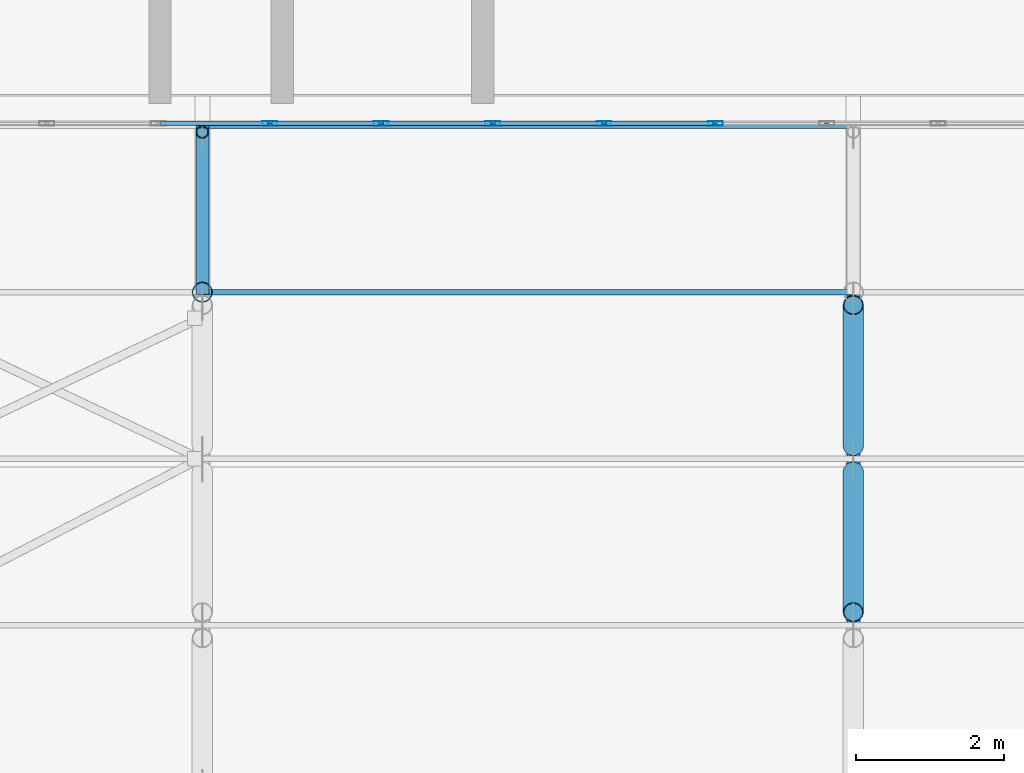
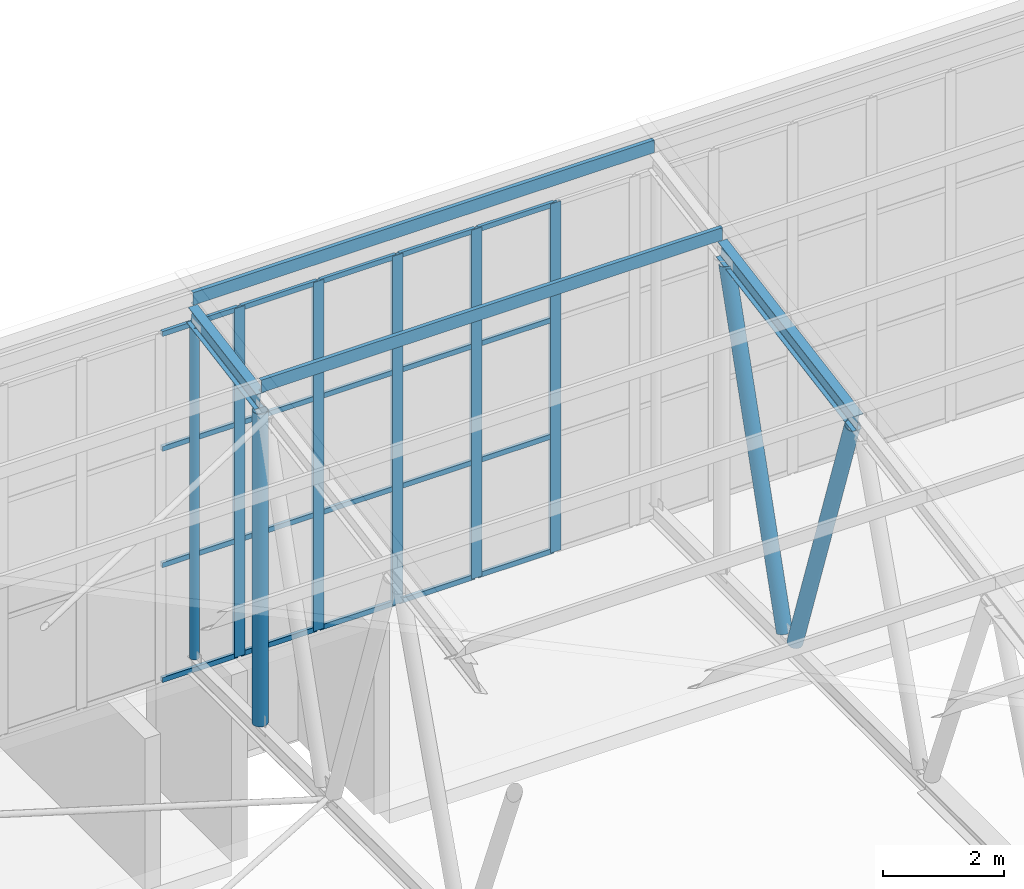
# One storey, part 54 of 185: 33 members, 1 element without a shape of its own.
"""IFC4 building model written with IfcOpenShell, lengths in metres."""

from ifc_helpers import new_model, si_unit, direction, frame, origin, origin_2d, place, context, subcontext, project, spatial, polyline, hollow_rectangle, hollow_circle, i_section, outline, extrude, material, layer, layer_set, material_profile, profile_set, type_object, element, aggregate, save


model = new_model("IFC4")

# Units and contexts
model_context = context("Model", 3, precision=1e-05, world=origin(), true_north=direction((0.0, 1.0)))
body_context = subcontext(model_context, "Body", "Model", "MODEL_VIEW")
ifc_project = project(units=[si_unit("LENGTHUNIT", "METRE"), si_unit("AREAUNIT", "SQUARE_METRE"), si_unit("VOLUMEUNIT", "CUBIC_METRE"), si_unit("PLANEANGLEUNIT", "RADIAN"), si_unit("MASSUNIT", "GRAM", prefix="KILO")], contexts=[model_context])

# Site, building, storey
site_placement = place(None, origin())
site = spatial("IfcSite", under=ifc_project, at=site_placement, CompositionType="ELEMENT")
building_placement = place(site_placement, origin())
building = spatial("IfcBuilding", under=site, at=building_placement, Name="Opaline Strait Convention Centre", CompositionType="ELEMENT")
storey_placement = place(building_placement, frame((0.0, 0.0, 6.0)))
storey = spatial("IfcBuildingStorey", under=building, at=storey_placement, Name="L01", CompositionType="ELEMENT", Elevation=6.0)

# Curtain wall, members
ifc_material_1 = material(Name="Aluminium 6063-T5", Category="aluminium")
ifc_layer = layer(ifc_material_1, 0.199951171875)
ifc_layer_set = layer_set([ifc_layer], Name="Aluminium 6063-T5")
curtain_wall_type = type_object("IfcCurtainWallType", Name="Unitised curtain wall 1640 module", PredefinedType="NOTDEFINED", material=ifc_layer_set)
curtain_wall_placement = place(storey_placement, origin())
curtain_wall = element("IfcCurtainWall", 1, at=curtain_wall_placement, inside=storey, type_object=curtain_wall_type, Name="Ballroom north clerestory curtain wall", PredefinedType="NOTDEFINED")
ifc_material_2 = material(Name="Aluminium alloy 6063", Category="aluminium")
ifc_material_profile_1 = material_profile(ifc_material_2, hollow_rectangle(XDim=0.06005859375, YDim=0.199951171875, WallThickness=0.00390625, at=origin_2d()), Name="MULLION 60x200x4")
ifc_profile_set_1 = profile_set([ifc_material_profile_1], Name="Aluminium alloy 6063")
member_type_1 = type_object("IfcMemberType", Name="Curtain wall mullion 60 x 200", PredefinedType="MULLION", material=ifc_profile_set_1)
member_1_placement = place(storey_placement, frame((298.47998046875, 62.929931640625, 4.324951171875), z_axis=(0.0, 0.0, 1.0), x_axis=(0.0, 1.0, 0.0)))
member_1 = element("IfcMember", 2, at=member_1_placement, type_object=member_type_1, Name="BG2 mullion 8", PredefinedType="MULLION", context=body_context, shape_type="SweptSolid", body=[
    extrude(hollow_rectangle(XDim=0.06005859375, YDim=0.199951171875, WallThickness=0.00390625, at=origin_2d()), origin(), (0.0, 0.0, 1.0), 7.01513671875),
])
member_2_placement = place(storey_placement, frame((299.9814453125, 62.929931640625, 4.324951171875), z_axis=(0.0, 0.0, 1.0), x_axis=(0.0, 1.0, 0.0)))
member_2 = element("IfcMember", 3, at=member_2_placement, type_object=member_type_1, Name="BG2 mullion 9", PredefinedType="MULLION", context=body_context, shape_type="SweptSolid", body=[
    extrude(hollow_rectangle(XDim=0.06005859375, YDim=0.199951171875, WallThickness=0.00390625, at=origin_2d()), origin(), (0.0, 0.0, 1.0), 7.01513671875),
])
member_3_placement = place(storey_placement, frame((301.48291015625, 62.929931640625, 4.324951171875), z_axis=(0.0, 0.0, 1.0), x_axis=(0.0, 1.0, 0.0)))
member_3 = element("IfcMember", 4, at=member_3_placement, type_object=member_type_1, Name="BG2 mullion 10", PredefinedType="MULLION", context=body_context, shape_type="SweptSolid", body=[
    extrude(hollow_rectangle(XDim=0.06005859375, YDim=0.199951171875, WallThickness=0.00390625, at=origin_2d()), origin(), (0.0, 0.0, 1.0), 7.01513671875),
])
member_4_placement = place(storey_placement, frame((302.984375, 62.929931640625, 4.324951171875), z_axis=(0.0, 0.0, 1.0), x_axis=(0.0, 1.0, 0.0)))
member_4 = element("IfcMember", 5, at=member_4_placement, type_object=member_type_1, Name="BG2 mullion 11", PredefinedType="MULLION", context=body_context, shape_type="SweptSolid", body=[
    extrude(hollow_rectangle(XDim=0.06005859375, YDim=0.199951171875, WallThickness=0.00390625, at=origin_2d()), origin(), (0.0, 0.0, 1.0), 7.01513671875),
])
member_5_placement = place(storey_placement, frame((304.485595703125, 62.929931640625, 4.324951171875), z_axis=(0.0, 0.0, 1.0), x_axis=(0.0, 1.0, 0.0)))
member_5 = element("IfcMember", 6, at=member_5_placement, type_object=member_type_1, Name="BG2 mullion 12", PredefinedType="MULLION", context=body_context, shape_type="SweptSolid", body=[
    extrude(hollow_rectangle(XDim=0.06005859375, YDim=0.199951171875, WallThickness=0.00390625, at=origin_2d()), origin(), (0.0, 0.0, 1.0), 7.01513671875),
])
ifc_material_profile_2 = material_profile(ifc_material_2, hollow_rectangle(XDim=0.06005859375, YDim=0.10009765625, WallThickness=0.0029296875, at=origin_2d()), Name="TRANSOM 60x100x3")
ifc_profile_set_2 = profile_set([ifc_material_profile_2], Name="Aluminium alloy 6063")
member_type_2 = type_object("IfcMemberType", Name="Curtain wall transom 60 x 100", PredefinedType="USERDEFINED", material=ifc_profile_set_2)
member_6_placement = place(storey_placement, frame((297.008544921875, 62.929931640625, 4.35498046875), z_axis=(1.0, 0.0, 0.0), x_axis=(0.0, 1.0, 0.0)))
member_6 = element("IfcMember", 7, at=member_6_placement, type_object=member_type_2, Name="BG2 transom 7.1", ObjectType="TRANSOM", PredefinedType="USERDEFINED", context=body_context, shape_type="SweptSolid", body=[
    extrude(hollow_rectangle(XDim=0.06005859375, YDim=0.10009765625, WallThickness=0.0029296875, at=origin_2d()), origin(), (0.0, 0.0, 1.0), 1.44140625),
])
member_7_placement = place(storey_placement, frame((297.008544921875, 62.929931640625, 6.663330078125), z_axis=(1.0, 0.0, 0.0), x_axis=(0.0, 1.0, 0.0)))
member_7 = element("IfcMember", 8, at=member_7_placement, type_object=member_type_2, Name="BG2 transom 7.2", ObjectType="TRANSOM", PredefinedType="USERDEFINED", context=body_context, shape_type="SweptSolid", body=[
    extrude(hollow_rectangle(XDim=0.06005859375, YDim=0.10009765625, WallThickness=0.0029296875, at=origin_2d()), origin(), (0.0, 0.0, 1.0), 1.44140625),
])
member_8_placement = place(storey_placement, frame((297.008544921875, 62.929931640625, 9.001708984375), z_axis=(1.0, 0.0, 0.0), x_axis=(0.0, 1.0, 0.0)))
member_8 = element("IfcMember", 9, at=member_8_placement, type_object=member_type_2, Name="BG2 transom 7.3", ObjectType="TRANSOM", PredefinedType="USERDEFINED", context=body_context, shape_type="SweptSolid", body=[
    extrude(hollow_rectangle(XDim=0.06005859375, YDim=0.10009765625, WallThickness=0.0029296875, at=origin_2d()), origin(), (0.0, 0.0, 1.0), 1.44140625),
])
member_9_placement = place(storey_placement, frame((297.008544921875, 62.929931640625, 11.31005859375), z_axis=(1.0, 0.0, 0.0), x_axis=(0.0, 1.0, 0.0)))
member_9 = element("IfcMember", 10, at=member_9_placement, type_object=member_type_2, Name="BG2 transom 7.4", ObjectType="TRANSOM", PredefinedType="USERDEFINED", context=body_context, shape_type="SweptSolid", body=[
    extrude(hollow_rectangle(XDim=0.06005859375, YDim=0.10009765625, WallThickness=0.0029296875, at=origin_2d()), origin(), (0.0, 0.0, 1.0), 1.44140625),
])
member_10_placement = place(storey_placement, frame((298.510009765625, 62.929931640625, 4.35498046875), z_axis=(1.0, 0.0, 0.0), x_axis=(0.0, 1.0, 0.0)))
member_10 = element("IfcMember", 11, at=member_10_placement, type_object=member_type_2, Name="BG2 transom 8.1", ObjectType="TRANSOM", PredefinedType="USERDEFINED", context=body_context, shape_type="SweptSolid", body=[
    extrude(hollow_rectangle(XDim=0.06005859375, YDim=0.10009765625, WallThickness=0.0029296875, at=origin_2d()), origin(), (0.0, 0.0, 1.0), 1.44140625),
])
member_11_placement = place(storey_placement, frame((298.510009765625, 62.929931640625, 6.663330078125), z_axis=(1.0, 0.0, 0.0), x_axis=(0.0, 1.0, 0.0)))
member_11 = element("IfcMember", 12, at=member_11_placement, type_object=member_type_2, Name="BG2 transom 8.2", ObjectType="TRANSOM", PredefinedType="USERDEFINED", context=body_context, shape_type="SweptSolid", body=[
    extrude(hollow_rectangle(XDim=0.06005859375, YDim=0.10009765625, WallThickness=0.0029296875, at=origin_2d()), origin(), (0.0, 0.0, 1.0), 1.44140625),
])
member_12_placement = place(storey_placement, frame((298.510009765625, 62.929931640625, 9.001708984375), z_axis=(1.0, 0.0, 0.0), x_axis=(0.0, 1.0, 0.0)))
member_12 = element("IfcMember", 13, at=member_12_placement, type_object=member_type_2, Name="BG2 transom 8.3", ObjectType="TRANSOM", PredefinedType="USERDEFINED", context=body_context, shape_type="SweptSolid", body=[
    extrude(hollow_rectangle(XDim=0.06005859375, YDim=0.10009765625, WallThickness=0.0029296875, at=origin_2d()), origin(), (0.0, 0.0, 1.0), 1.44140625),
])
member_13_placement = place(storey_placement, frame((298.510009765625, 62.929931640625, 11.31005859375), z_axis=(1.0, 0.0, 0.0), x_axis=(0.0, 1.0, 0.0)))
member_13 = element("IfcMember", 14, at=member_13_placement, type_object=member_type_2, Name="BG2 transom 8.4", ObjectType="TRANSOM", PredefinedType="USERDEFINED", context=body_context, shape_type="SweptSolid", body=[
    extrude(hollow_rectangle(XDim=0.06005859375, YDim=0.10009765625, WallThickness=0.0029296875, at=origin_2d()), origin(), (0.0, 0.0, 1.0), 1.44140625),
])
member_14_placement = place(storey_placement, frame((300.011474609375, 62.929931640625, 4.35498046875), z_axis=(1.0, 0.0, 0.0), x_axis=(0.0, 1.0, 0.0)))
member_14 = element("IfcMember", 15, at=member_14_placement, type_object=member_type_2, Name="BG2 transom 9.1", ObjectType="TRANSOM", PredefinedType="USERDEFINED", context=body_context, shape_type="SweptSolid", body=[
    extrude(hollow_rectangle(XDim=0.06005859375, YDim=0.10009765625, WallThickness=0.0029296875, at=origin_2d()), origin(), (0.0, 0.0, 1.0), 1.44140625),
])
member_15_placement = place(storey_placement, frame((300.011474609375, 62.929931640625, 6.663330078125), z_axis=(1.0, 0.0, 0.0), x_axis=(0.0, 1.0, 0.0)))
member_15 = element("IfcMember", 16, at=member_15_placement, type_object=member_type_2, Name="BG2 transom 9.2", ObjectType="TRANSOM", PredefinedType="USERDEFINED", context=body_context, shape_type="SweptSolid", body=[
    extrude(hollow_rectangle(XDim=0.06005859375, YDim=0.10009765625, WallThickness=0.0029296875, at=origin_2d()), origin(), (0.0, 0.0, 1.0), 1.44140625),
])
member_16_placement = place(storey_placement, frame((300.011474609375, 62.929931640625, 9.001708984375), z_axis=(1.0, 0.0, 0.0), x_axis=(0.0, 1.0, 0.0)))
member_16 = element("IfcMember", 17, at=member_16_placement, type_object=member_type_2, Name="BG2 transom 9.3", ObjectType="TRANSOM", PredefinedType="USERDEFINED", context=body_context, shape_type="SweptSolid", body=[
    extrude(hollow_rectangle(XDim=0.06005859375, YDim=0.10009765625, WallThickness=0.0029296875, at=origin_2d()), origin(), (0.0, 0.0, 1.0), 1.44140625),
])
member_17_placement = place(storey_placement, frame((300.011474609375, 62.929931640625, 11.31005859375), z_axis=(1.0, 0.0, 0.0), x_axis=(0.0, 1.0, 0.0)))
member_17 = element("IfcMember", 18, at=member_17_placement, type_object=member_type_2, Name="BG2 transom 9.4", ObjectType="TRANSOM", PredefinedType="USERDEFINED", context=body_context, shape_type="SweptSolid", body=[
    extrude(hollow_rectangle(XDim=0.06005859375, YDim=0.10009765625, WallThickness=0.0029296875, at=origin_2d()), origin(), (0.0, 0.0, 1.0), 1.44140625),
])
member_18_placement = place(storey_placement, frame((301.512939453125, 62.929931640625, 4.35498046875), z_axis=(1.0, 0.0, 0.0), x_axis=(0.0, 1.0, 0.0)))
member_18 = element("IfcMember", 19, at=member_18_placement, type_object=member_type_2, Name="BG2 transom 10.1", ObjectType="TRANSOM", PredefinedType="USERDEFINED", context=body_context, shape_type="SweptSolid", body=[
    extrude(hollow_rectangle(XDim=0.06005859375, YDim=0.10009765625, WallThickness=0.0029296875, at=origin_2d()), origin(), (0.0, 0.0, 1.0), 1.44140625),
])
member_19_placement = place(storey_placement, frame((301.512939453125, 62.929931640625, 6.663330078125), z_axis=(1.0, 0.0, 0.0), x_axis=(0.0, 1.0, 0.0)))
member_19 = element("IfcMember", 20, at=member_19_placement, type_object=member_type_2, Name="BG2 transom 10.2", ObjectType="TRANSOM", PredefinedType="USERDEFINED", context=body_context, shape_type="SweptSolid", body=[
    extrude(hollow_rectangle(XDim=0.06005859375, YDim=0.10009765625, WallThickness=0.0029296875, at=origin_2d()), origin(), (0.0, 0.0, 1.0), 1.44140625),
])
member_20_placement = place(storey_placement, frame((301.512939453125, 62.929931640625, 9.001708984375), z_axis=(1.0, 0.0, 0.0), x_axis=(0.0, 1.0, 0.0)))
member_20 = element("IfcMember", 21, at=member_20_placement, type_object=member_type_2, Name="BG2 transom 10.3", ObjectType="TRANSOM", PredefinedType="USERDEFINED", context=body_context, shape_type="SweptSolid", body=[
    extrude(hollow_rectangle(XDim=0.06005859375, YDim=0.10009765625, WallThickness=0.0029296875, at=origin_2d()), origin(), (0.0, 0.0, 1.0), 1.44140625),
])
member_21_placement = place(storey_placement, frame((301.512939453125, 62.929931640625, 11.31005859375), z_axis=(1.0, 0.0, 0.0), x_axis=(0.0, 1.0, 0.0)))
member_21 = element("IfcMember", 22, at=member_21_placement, type_object=member_type_2, Name="BG2 transom 10.4", ObjectType="TRANSOM", PredefinedType="USERDEFINED", context=body_context, shape_type="SweptSolid", body=[
    extrude(hollow_rectangle(XDim=0.06005859375, YDim=0.10009765625, WallThickness=0.0029296875, at=origin_2d()), origin(), (0.0, 0.0, 1.0), 1.44140625),
])
member_22_placement = place(storey_placement, frame((303.01416015625, 62.929931640625, 4.35498046875), z_axis=(1.0, 0.0, 0.0), x_axis=(0.0, 1.0, 0.0)))
member_22 = element("IfcMember", 23, at=member_22_placement, type_object=member_type_2, Name="BG2 transom 11.1", ObjectType="TRANSOM", PredefinedType="USERDEFINED", context=body_context, shape_type="SweptSolid", body=[
    extrude(hollow_rectangle(XDim=0.06005859375, YDim=0.10009765625, WallThickness=0.0029296875, at=origin_2d()), origin(), (0.0, 0.0, 1.0), 1.441650390625),
])
member_23_placement = place(storey_placement, frame((303.01416015625, 62.929931640625, 6.663330078125), z_axis=(1.0, 0.0, 0.0), x_axis=(0.0, 1.0, 0.0)))
member_23 = element("IfcMember", 24, at=member_23_placement, type_object=member_type_2, Name="BG2 transom 11.2", ObjectType="TRANSOM", PredefinedType="USERDEFINED", context=body_context, shape_type="SweptSolid", body=[
    extrude(hollow_rectangle(XDim=0.06005859375, YDim=0.10009765625, WallThickness=0.0029296875, at=origin_2d()), origin(), (0.0, 0.0, 1.0), 1.441650390625),
])
member_24_placement = place(storey_placement, frame((303.01416015625, 62.929931640625, 9.001708984375), z_axis=(1.0, 0.0, 0.0), x_axis=(0.0, 1.0, 0.0)))
member_24 = element("IfcMember", 25, at=member_24_placement, type_object=member_type_2, Name="BG2 transom 11.3", ObjectType="TRANSOM", PredefinedType="USERDEFINED", context=body_context, shape_type="SweptSolid", body=[
    extrude(hollow_rectangle(XDim=0.06005859375, YDim=0.10009765625, WallThickness=0.0029296875, at=origin_2d()), origin(), (0.0, 0.0, 1.0), 1.441650390625),
])
member_25_placement = place(storey_placement, frame((303.01416015625, 62.929931640625, 11.31005859375), z_axis=(1.0, 0.0, 0.0), x_axis=(0.0, 1.0, 0.0)))
member_25 = element("IfcMember", 26, at=member_25_placement, type_object=member_type_2, Name="BG2 transom 11.4", ObjectType="TRANSOM", PredefinedType="USERDEFINED", context=body_context, shape_type="SweptSolid", body=[
    extrude(hollow_rectangle(XDim=0.06005859375, YDim=0.10009765625, WallThickness=0.0029296875, at=origin_2d()), origin(), (0.0, 0.0, 1.0), 1.441650390625),
])
aggregate(curtain_wall, [member_1, member_2, member_3, member_4, member_5, member_6, member_7, member_8, member_9, member_10, member_11, member_12, member_13, member_14, member_15, member_16, member_17, member_18, member_19, member_20, member_21, member_22, member_23, member_24, member_25])

# Members
ifc_material_3 = material(Name="Steel Q355B", Category="steel")
ifc_material_profile_3 = material_profile(ifc_material_3, outline(polyline([(-0.03759765625, -0.125), (0.03759765625, -0.125), (0.03759765625, -0.10498046875), (0.034423828125, -0.10498046875), (0.034423828125, -0.1220703125), (-0.034423828125, -0.1220703125), (-0.034423828125, 0.1220703125), (0.034423828125, 0.1220703125), (0.034423828125, 0.10498046875), (0.03759765625, 0.10498046875), (0.03759765625, 0.125), (-0.03759765625, 0.125), (-0.03759765625, -0.125)])), Name="C 250x75x20x3")
ifc_profile_set_3 = profile_set([ifc_material_profile_3], Name="Steel Q355B")
member_type_3 = type_object("IfcMemberType", Name="Roof purlin C 250x75x20x3", PredefinedType="RAFTER", material=ifc_profile_set_3)
for number, where, z_axis, x_axis, name in (
    (27, (297.5712890625, 60.65625, 11.445068359375), (1.0, 0.0, 0.0), (0.0, 1.0, 0.0), "BU1 purlin line 17 bay 3"),
    (28, (297.5712890625, 62.89990234375, 11.8408203125), (1.0, 0.0, 0.0), (0.0, 1.0, 0.0), "BU1 purlin line 18 bay 3"),
):
    element("IfcMember", number, at=place(storey_placement, frame(where, z_axis=z_axis, x_axis=x_axis)), inside=storey, type_object=member_type_3, Name=name, PredefinedType="RAFTER", context=body_context, shape_type="SweptSolid", body=[
        extrude(outline(polyline([(-0.03759765625, -0.125), (0.03759765625, -0.125), (0.03759765625, -0.10498046875), (0.034423828125, -0.10498046875), (0.034423828125, -0.1220703125), (-0.034423828125, -0.1220703125), (-0.034423828125, 0.1220703125), (0.034423828125, 0.1220703125), (0.034423828125, 0.10498046875), (0.03759765625, 0.10498046875), (0.03759765625, 0.125), (-0.03759765625, 0.125), (-0.03759765625, -0.125)])), origin(), (0.0, 0.0, 1.0), 8.771728515625),
    ])
ifc_material_profile_4 = material_profile(ifc_material_3, hollow_circle(Radius=0.083984375, WallThickness=0.008056640625, at=origin_2d()), Name="CHS 168x8")
ifc_profile_set_4 = profile_set([ifc_material_profile_4], Name="Steel Q355B")
member_type_4 = type_object("IfcMemberType", Name="Truss end post CHS 168x8", PredefinedType="STRUT", material=ifc_profile_set_4)
member_26_placement = place(storey_placement, frame((297.5712890625, 62.81591796875, 4.675048828125), z_axis=(0.0, 0.0, 1.0), x_axis=(1.0, 0.0, 0.0)))
element("IfcMember", 29, at=member_26_placement, inside=storey, type_object=member_type_4, Name="BW5 end post line 2", PredefinedType="STRUT", context=body_context, shape_type="SweptSolid", body=[
    extrude(hollow_circle(Radius=0.083984375, WallThickness=0.008056640625, at=origin_2d()), origin(), (0.0, 0.0, 1.0), 6.66259765625),
])
ifc_material_profile_5 = material_profile(ifc_material_3, i_section(OverallWidth=0.175048828125, OverallDepth=0.35009765625, WebThickness=0.007080078125, FlangeThickness=0.010986328125, FilletRadius=0.012939453125, at=origin_2d()), Name="HN 350x175x7x11")
ifc_profile_set_5 = profile_set([ifc_material_profile_5], Name="Steel Q355B")
member_type_5 = type_object("IfcMemberType", Name="Truss top chord HN 350x175x7x11", PredefinedType="CHORD", material=ifc_profile_set_5)
member_27_placement = place(storey_placement, frame((297.5712890625, 60.65625, 11.134521484375), z_axis=(0.0, 0.984815906009, 0.173601933377), x_axis=(-1.0, 0.0, 0.0)))
element("IfcMember", 30, at=member_27_placement, inside=storey, type_object=member_type_5, Name="BT1 top chord line 2 panel 10", PredefinedType="CHORD", context=body_context, shape_type="SweptSolid", body=[
    extrude(i_section(OverallWidth=0.175048828125, OverallDepth=0.35009765625, WebThickness=0.007080078125, FlangeThickness=0.010986328125, FilletRadius=0.012939453125, at=origin_2d()), origin(), (0.0, 0.0, 1.0), 2.2783203125),
])
member_28_placement = place(storey_placement, frame((306.343017578125, 56.168701171875, 10.34326171875), z_axis=(0.0, 0.984808359847, 0.173644736101), x_axis=(-1.0, 0.0, 0.0)))
element("IfcMember", 31, at=member_28_placement, inside=storey, type_object=member_type_5, Name="BT1 top chord line 3 panel 9", PredefinedType="CHORD", context=body_context, shape_type="SweptSolid", body=[
    extrude(i_section(OverallWidth=0.175048828125, OverallDepth=0.35009765625, WebThickness=0.007080078125, FlangeThickness=0.010986328125, FilletRadius=0.012939453125, at=origin_2d()), origin(), (0.0, 0.0, 1.0), 4.556884765625),
])
ifc_material_profile_6 = material_profile(ifc_material_3, hollow_circle(Radius=0.136474609375, WallThickness=0.011962890625, at=origin_2d()), Name="CHS 273x12")
ifc_profile_set_6 = profile_set([ifc_material_profile_6], Name="Steel Q355B")
member_type_6 = type_object("IfcMemberType", Name="Truss web CHS 273x12", PredefinedType="BRACE", material=ifc_profile_set_6)
member_29_placement = place(storey_placement, frame((297.5712890625, 60.65625, 4.675048828125), z_axis=(0.0, 0.0, 1.0), x_axis=(1.0, 0.0, 0.0)))
element("IfcMember", 32, at=member_29_placement, inside=storey, type_object=member_type_6, Name="BW4 frame post line 2", PredefinedType="BRACE", context=body_context, shape_type="SweptSolid", body=[
    extrude(hollow_circle(Radius=0.136474609375, WallThickness=0.011962890625, at=origin_2d()), origin(), (0.0, 0.0, 1.0), 6.28173828125),
])
member_30_placement = place(storey_placement, frame((306.343017578125, 58.23828125, 4.678955078125), z_axis=(0.0, -0.325083279509, 0.945685392392), x_axis=(1.0, 0.0, 0.0)))
element("IfcMember", 33, at=member_30_placement, inside=storey, type_object=member_type_6, Name="BW4 web line 3 member 14", PredefinedType="BRACE", context=body_context, shape_type="SweptSolid", body=[
    extrude(hollow_circle(Radius=0.136474609375, WallThickness=0.011962890625, at=origin_2d()), origin(), (0.0, 0.0, 1.0), 5.830078125),
])
member_31_placement = place(storey_placement, frame((306.343017578125, 58.585205078125, 4.678955078125), z_axis=(0.0, 0.290918943534, 0.956747703574), x_axis=(-1.0, 0.0, 0.0)))
element("IfcMember", 34, at=member_31_placement, inside=storey, type_object=member_type_6, Name="BW4 web line 3 member 15", PredefinedType="BRACE", context=body_context, shape_type="SweptSolid", body=[
    extrude(hollow_circle(Radius=0.136474609375, WallThickness=0.011962890625, at=origin_2d()), origin(), (0.0, 0.0, 1.0), 6.525634765625),
])

save(model, "model.ifc")
